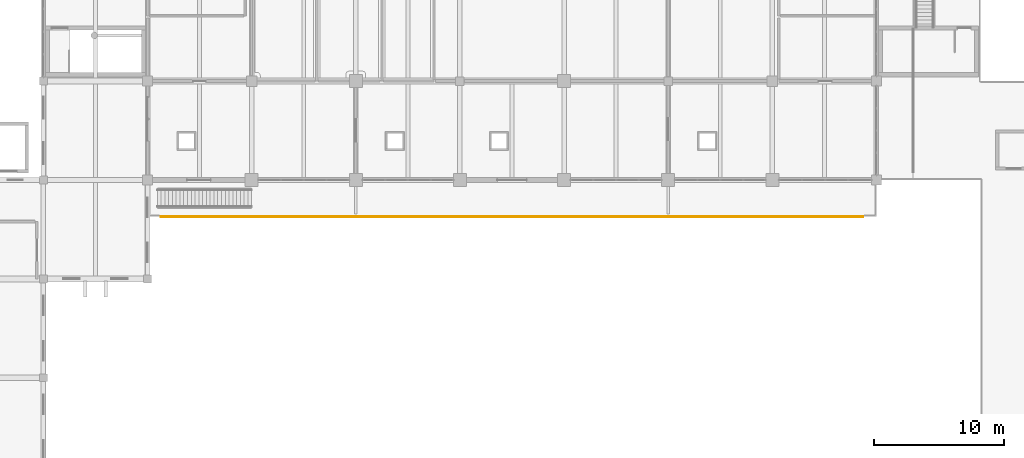
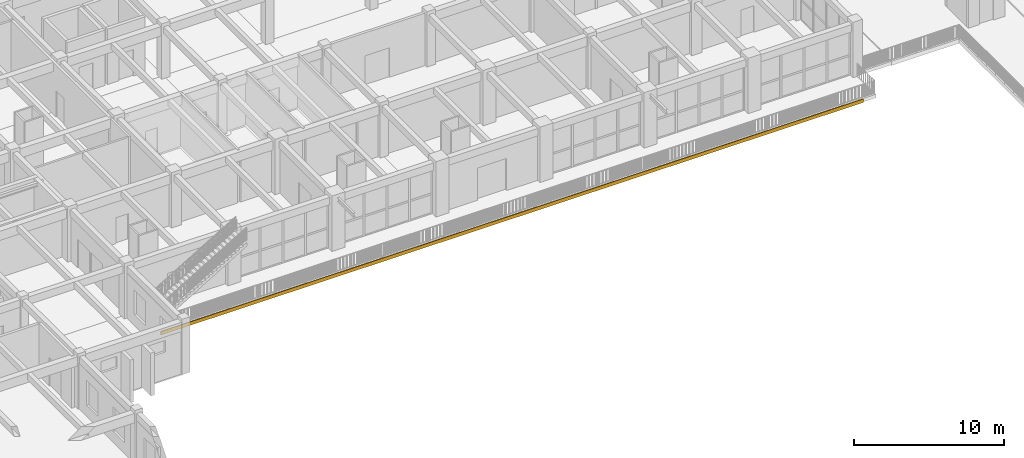
# One storey, part 71 of 79: 1 covering.
"""IFC4 building model written with IfcOpenShell, lengths in metres."""

from ifc_helpers import new_model, si_unit, direction, frame, origin, place, context, subcontext, project, spatial, polyline, outline, extrude, material, layer, layer_set, type_object, element, save


model = new_model("IFC4")

# Units and contexts
model_context = context("Model", 3, precision=1e-05, world=origin(), true_north=direction((0.0, 1.0)))
body_context = subcontext(model_context, "Body", "Model", "MODEL_VIEW")
ifc_project = project(units=[si_unit("LENGTHUNIT", "METRE"), si_unit("AREAUNIT", "SQUARE_METRE"), si_unit("VOLUMEUNIT", "CUBIC_METRE"), si_unit("PLANEANGLEUNIT", "RADIAN"), si_unit("MASSUNIT", "GRAM", prefix="KILO")], contexts=[model_context])

# Site, building, storey
site_placement = place(None, origin())
site = spatial("IfcSite", under=ifc_project, at=site_placement, CompositionType="ELEMENT")
building_placement = place(site_placement, origin())
building = spatial("IfcBuilding", under=site, at=building_placement, Name="Zantavel Square City Hall", CompositionType="ELEMENT")
storey_placement = place(building_placement, frame((0.0, 0.0, 10.199951171875)))
storey = spatial("IfcBuildingStorey", under=building, at=storey_placement, Name="L03", CompositionType="ELEMENT", Elevation=10.199951171875)

# Covering
ifc_material = material(Name="White cantera volcanic tuff stone", Category="masonry")
ifc_layer = layer(ifc_material, 0.06005859375, Name="White cantera volcanic tuff stone")
ifc_layer_set = layer_set([ifc_layer], Name="White cantera volcanic tuff stone")
covering_type = type_object("IfcCoveringType", Name="Carved White Cantera Tray Fascia Cladding 60mm", PredefinedType="CLADDING", material=ifc_layer_set)
covering_placement = place(storey_placement, frame((0.0, 0.0, -0.280029296875)))
element("IfcCovering", 1, at=covering_placement, inside=storey, type_object=covering_type, Name="L03 White Cantera Tray Fascia COV-FASCIA-L03S", PredefinedType="CLADDING", context=body_context, shape_type="SweptSolid", body=[
    extrude(outline(polyline([(57.0, 27.5400390625), (111.0, 27.5400390625), (111.0, 27.60009765625), (57.0, 27.60009765625), (57.0, 27.5400390625)])), origin(), (0.0, 0.0, 1.0), 0.280029296875),
])

save(model, "model.ifc")
